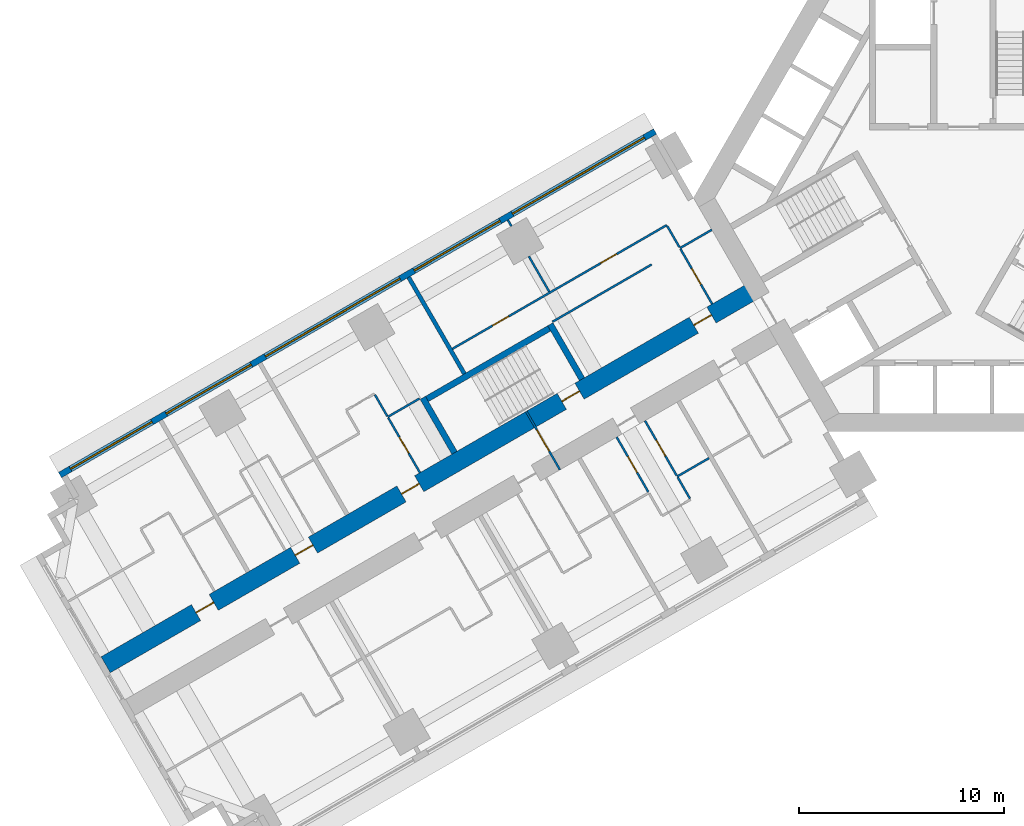
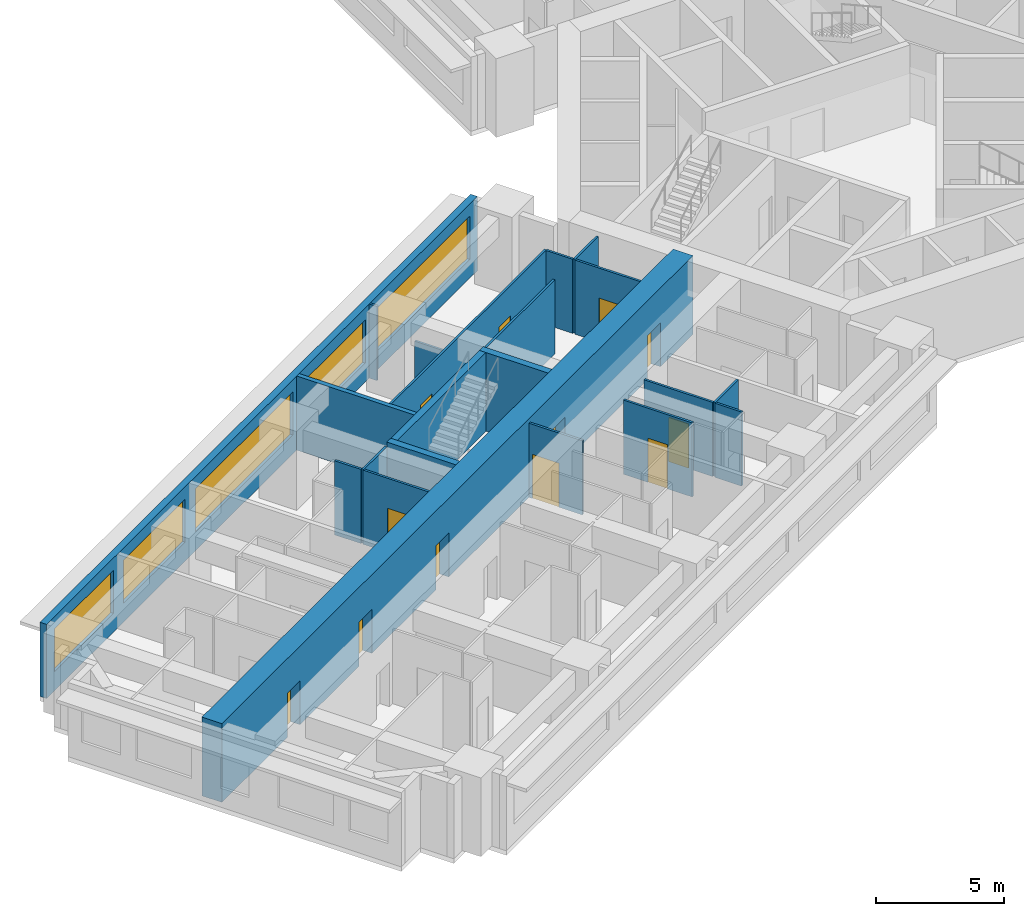
# One storey, part 5 of 17: 21 walls, 12 doors, 5 windows, 17 openings.
"""IFC4 building model written with IfcOpenShell, lengths in metres."""

from ifc_helpers import new_model, si_unit, direction, frame, frame_2d, origin, place, context, subcontext, project, spatial, rectangle, extrude, material, layer, layer_set, type_object, element, fill, save


model = new_model("IFC4")

# Units and contexts
model_context = context("Model", 3, precision=1e-05, world=origin(), true_north=direction((0.0, 1.0)))
body_context = subcontext(model_context, "Body", "Model", "MODEL_VIEW")
ifc_project = project(units=[si_unit("LENGTHUNIT", "METRE"), si_unit("AREAUNIT", "SQUARE_METRE"), si_unit("VOLUMEUNIT", "CUBIC_METRE"), si_unit("PLANEANGLEUNIT", "RADIAN"), si_unit("MASSUNIT", "GRAM", prefix="KILO")], contexts=[model_context])

# Site, building, storey
site_placement = place(None, origin())
site = spatial("IfcSite", under=ifc_project, at=site_placement, CompositionType="ELEMENT")
building_placement = place(site_placement, origin())
building = spatial("IfcBuilding", under=site, at=building_placement, Name="Impinga Residences", CompositionType="ELEMENT")
storey_placement = place(building_placement, frame((0.0, 0.0, 33.5)))
storey = spatial("IfcBuildingStorey", under=building, at=storey_placement, Name="L07", CompositionType="ELEMENT", Elevation=33.5)

# Wall, openings, doors
ifc_material_1 = material(Name="Concrete C70/85", Category="concrete")
ifc_layer_1 = layer(ifc_material_1, 0.89990234375)
ifc_layer_set_1 = layer_set([ifc_layer_1], Name="Concrete C70/85")
wall_type_1 = type_object("IfcWallType", Name="BW1 corridor buttress wall, L05 to L22 900", PredefinedType="SHEAR", material=ifc_layer_set_1)
wall_1_placement = place(storey_placement, frame((-10.1103515625, -4.451416015625, 0.0), z_axis=(0.0, 0.0, 1.0), x_axis=(-0.866025284237, -0.500000207062, 0.0)))
wall_1 = element("IfcWall", 1, at=wall_1_placement, inside=storey, type_object=wall_type_1, Name="Corridor wall BW1 WD L07", PredefinedType="SHEAR", context=body_context, shape_type="SweptSolid", body=[
    extrude(rectangle(XDim=36.75, YDim=0.89990234375, at=frame_2d((18.375, 0.0))), origin(), (0.0, 0.0, 1.0), 3.75),
])
opening_1_placement = place(wall_1_placement, frame((10.0, 0.0, 0.0)))
opening_1 = element("IfcOpeningElement", 2, at=opening_1_placement, cuts=wall_1, Name="Opening D5", PredefinedType="OPENING", context=body_context, shape_type="SweptSolid", body=[
    extrude(rectangle(XDim=1.0, YDim=2.10009765625, at=frame_2d((0.5, 1.050048828125))), frame((0.0, 0.4599609375, 0.0), z_axis=(0.0, -1.0, 0.0), x_axis=(1.0, 0.0, 0.0)), (0.0, 0.0, 1.0), 0.919921875),
])
opening_2_placement = place(wall_1_placement, frame((2.550048828125, 0.0, 0.0)))
opening_2 = element("IfcOpeningElement", 3, at=opening_2_placement, cuts=wall_1, Name="Opening D1", PredefinedType="OPENING", context=body_context, shape_type="SweptSolid", body=[
    extrude(rectangle(XDim=1.0, YDim=2.10009765625, at=frame_2d((0.5, 1.050048828125))), frame((0.0, 0.4599609375, 0.0), z_axis=(0.0, -1.0, 0.0), x_axis=(1.0, 0.0, 0.0)), (0.0, 0.0, 1.0), 0.919921875),
])
opening_3_placement = place(wall_1_placement, frame((19.050048828125, 0.0, 0.0)))
opening_3 = element("IfcOpeningElement", 4, at=opening_3_placement, cuts=wall_1, Name="Opening D1", PredefinedType="OPENING", context=body_context, shape_type="SweptSolid", body=[
    extrude(rectangle(XDim=1.0, YDim=2.10009765625, at=frame_2d((0.5, 1.050048828125))), frame((0.0, 0.4599609375, 0.0), z_axis=(0.0, -1.0, 0.0), x_axis=(1.0, 0.0, 0.0)), (0.0, 0.0, 1.0), 0.919921875),
])
opening_4_placement = place(wall_1_placement, frame((25.050048828125, 0.0, 0.0)))
opening_4 = element("IfcOpeningElement", 5, at=opening_4_placement, cuts=wall_1, Name="Opening D1", PredefinedType="OPENING", context=body_context, shape_type="SweptSolid", body=[
    extrude(rectangle(XDim=1.0, YDim=2.10009765625, at=frame_2d((0.5, 1.050048828125))), frame((0.0, 0.4599609375, 0.0), z_axis=(0.0, -1.0, 0.0), x_axis=(1.0, 0.0, 0.0)), (0.0, 0.0, 1.0), 0.919921875),
])
opening_5_placement = place(wall_1_placement, frame((30.64990234375, 0.0, 0.0)))
opening_5 = element("IfcOpeningElement", 6, at=opening_5_placement, cuts=wall_1, Name="Opening D1", PredefinedType="OPENING", context=body_context, shape_type="SweptSolid", body=[
    extrude(rectangle(XDim=1.0, YDim=2.10009765625, at=frame_2d((0.5, 1.050048828125))), frame((0.0, 0.4599609375, 0.0), z_axis=(0.0, -1.0, 0.0), x_axis=(1.0, 0.0, 0.0)), (0.0, 0.0, 1.0), 0.919921875),
])
ifc_material_2 = material(Name="Timber door set", Category="wood")
door_type_1 = type_object("IfcDoorType", Name="D1 apartment entrance door 1000x2100", OperationType="SINGLE_SWING_LEFT", PredefinedType="DOOR", material=ifc_material_2)
door_1_placement = place(opening_2_placement, origin())
door_1 = element("IfcDoor", 7, at=door_1_placement, inside=storey, type_object=door_type_1, Name="Apartment L07-WF1 entrance", OperationType="SINGLE_SWING_LEFT", OverallHeight=2.10009765625, OverallWidth=1.0, PredefinedType="DOOR", context=body_context, shape_type="SweptSolid", body=[
    extrude(rectangle(XDim=1.0, YDim=2.10009765625, at=frame_2d((0.5, 1.050048828125))), frame((0.0, 0.02490234375, 0.0), z_axis=(0.0, -1.0, 0.0), x_axis=(1.0, 0.0, 0.0)), (0.0, 0.0, 1.0), 0.050048828125),
])
fill(opening_2, door_1)
door_2_placement = place(opening_3_placement, origin())
door_2 = element("IfcDoor", 8, at=door_2_placement, inside=storey, type_object=door_type_1, Name="Apartment L07-WF2 entrance", OperationType="SINGLE_SWING_RIGHT", OverallHeight=2.10009765625, OverallWidth=1.0, PredefinedType="DOOR", context=body_context, shape_type="SweptSolid", body=[
    extrude(rectangle(XDim=1.0, YDim=2.10009765625, at=frame_2d((0.5, 1.050048828125))), frame((0.0, 0.02490234375, 0.0), z_axis=(0.0, -1.0, 0.0), x_axis=(1.0, 0.0, 0.0)), (0.0, 0.0, 1.0), 0.050048828125),
])
fill(opening_3, door_2)
door_3_placement = place(opening_4_placement, origin())
door_3 = element("IfcDoor", 9, at=door_3_placement, inside=storey, type_object=door_type_1, Name="Apartment L07-WF3 entrance", OperationType="SINGLE_SWING_RIGHT", OverallHeight=2.10009765625, OverallWidth=1.0, PredefinedType="DOOR", context=body_context, shape_type="SweptSolid", body=[
    extrude(rectangle(XDim=1.0, YDim=2.10009765625, at=frame_2d((0.5, 1.050048828125))), frame((0.0, 0.02490234375, 0.0), z_axis=(0.0, -1.0, 0.0), x_axis=(1.0, 0.0, 0.0)), (0.0, 0.0, 1.0), 0.050048828125),
])
fill(opening_4, door_3)
door_4_placement = place(opening_5_placement, origin())
door_4 = element("IfcDoor", 10, at=door_4_placement, inside=storey, type_object=door_type_1, Name="Apartment L07-WF4 entrance", OperationType="SINGLE_SWING_RIGHT", OverallHeight=2.10009765625, OverallWidth=1.0, PredefinedType="DOOR", context=body_context, shape_type="SweptSolid", body=[
    extrude(rectangle(XDim=1.0, YDim=2.10009765625, at=frame_2d((0.5, 1.050048828125))), frame((0.0, 0.02490234375, 0.0), z_axis=(0.0, -1.0, 0.0), x_axis=(1.0, 0.0, 0.0)), (0.0, 0.0, 1.0), 0.050048828125),
])
fill(opening_5, door_4)
door_type_2 = type_object("IfcDoorType", Name="D5 stair door 1000x2100", OperationType="SINGLE_SWING_LEFT", PredefinedType="DOOR", material=ifc_material_2)
door_5_placement = place(opening_1_placement, origin())
door_5 = element("IfcDoor", 11, at=door_5_placement, inside=storey, type_object=door_type_2, Name="Wing stair door W", OperationType="SINGLE_SWING_LEFT", OverallHeight=2.10009765625, OverallWidth=1.0, PredefinedType="DOOR", context=body_context, shape_type="SweptSolid", body=[
    extrude(rectangle(XDim=1.0, YDim=2.10009765625, at=frame_2d((0.5, 1.050048828125))), frame((0.0, 0.02490234375, 0.0), z_axis=(0.0, -1.0, 0.0), x_axis=(1.0, 0.0, 0.0)), (0.0, 0.0, 1.0), 0.050048828125),
])
fill(opening_1, door_5)

# Wall, opening, door
ifc_material_3 = material(Name="Concrete blockwork", Category="masonry")
ifc_layer_2 = layer(ifc_material_3, 0.10009765625)
ifc_layer_set_2 = layer_set([ifc_layer_2], Name="CP1 core room partition, blockwork 100")
wall_type_2 = type_object("IfcWallType", Name="CP1 core room partition, blockwork 100", PredefinedType="PARTITIONING", material=ifc_layer_set_2)
wall_2_placement = place(storey_placement, frame((-19.7275390625, -13.294921875, 0.0), z_axis=(0.0, 0.0, 1.0), x_axis=(-0.499974350878, 0.866040211805, 0.0)))
wall_2 = element("IfcWall", 12, at=wall_2_placement, inside=storey, type_object=wall_type_2, Name="Core room partition, blockwork L07:W:SCR", PredefinedType="PARTITIONING", context=body_context, shape_type="SweptSolid", body=[
    extrude(rectangle(XDim=3.300048828125, YDim=0.10009765625, at=frame_2d((1.64990234375, 0.0))), origin(), (0.0, 0.0, 1.0), 3.530029296875),
])
opening_6_placement = place(wall_2_placement, frame((1.050048828125, 0.0, 0.0)))
opening_6 = element("IfcOpeningElement", 13, at=opening_6_placement, cuts=wall_2, Name="Opening D3", PredefinedType="OPENING", context=body_context, shape_type="SweptSolid", body=[
    extrude(rectangle(XDim=1.199951171875, YDim=2.10009765625, at=frame_2d((0.60009765625, 1.050048828125))), frame((0.0, 0.06005859375, 0.0), z_axis=(0.0, -1.0, 0.0), x_axis=(1.0, 0.0, 0.0)), (0.0, 0.0, 1.0), 0.1201171875),
])
door_type_3 = type_object("IfcDoorType", Name="D3 room door, leaf and a half 1200x2100", OperationType="DOUBLE_SWING_LEFT", PredefinedType="DOOR", material=ifc_material_2)
door_6_placement = place(opening_6_placement, origin())
door_6 = element("IfcDoor", 14, at=door_6_placement, inside=storey, type_object=door_type_3, Name="Corridor smoke door W", OperationType="DOUBLE_SWING_LEFT", OverallHeight=2.10009765625, OverallWidth=1.199951171875, PredefinedType="DOOR", context=body_context, shape_type="SweptSolid", body=[
    extrude(rectangle(XDim=1.199951171875, YDim=2.10009765625, at=frame_2d((0.60009765625, 1.050048828125))), frame((0.0, 0.02490234375, 0.0), z_axis=(0.0, -1.0, 0.0), x_axis=(1.0, 0.0, 0.0)), (0.0, 0.0, 1.0), 0.050048828125),
])
fill(opening_6, door_6)

# Wall, openings, windows
ifc_material_4 = material(Name="Terracotta rainscreen on blockwork", Category="masonry")
ifc_layer_3 = layer(ifc_material_4, 0.300048828125)
ifc_layer_set_3 = layer_set([ifc_layer_3], Name="EW1 external wall, terracotta rainscreen on blockwork 300")
wall_type_3 = type_object("IfcWallType", Name="EW1 external wall, terracotta rainscreen on blockwork 300", PredefinedType="SOLIDWALL", material=ifc_layer_set_3)
wall_3_placement = place(storey_placement, frame((-44.17333984375, -13.552490234375, 0.0), z_axis=(0.0, 0.0, 1.0), x_axis=(0.866024291668, 0.500001926238, 0.0)))
wall_3 = element("IfcWall", 15, at=wall_3_placement, inside=storey, type_object=wall_type_3, Name="External wall EW1 L07", PredefinedType="SOLIDWALL", context=body_context, shape_type="SweptSolid", body=[
    extrude(rectangle(XDim=33.599853515625, YDim=0.300048828125, at=frame_2d((16.7998046875, 0.0))), origin(), (0.0, 0.0, 1.0), 3.530029296875),
])
opening_7_placement = place(wall_3_placement, frame((0.60009765625, 0.0, 0.89990234375)))
opening_7 = element("IfcOpeningElement", 16, at=opening_7_placement, cuts=wall_3, Name="Opening W3", PredefinedType="OPENING", context=body_context, shape_type="SweptSolid", body=[
    extrude(rectangle(XDim=4.60009765625, YDim=2.050048828125, at=frame_2d((2.300048828125, 1.02490234375))), frame((0.0, 0.159912109375, 0.0), z_axis=(0.0, -1.0, 0.0), x_axis=(1.0, 0.0, 0.0)), (0.0, 0.0, 1.0), 0.320068359375),
])
opening_8_placement = place(wall_3_placement, frame((6.0, 0.0, 0.89990234375)))
opening_8 = element("IfcOpeningElement", 17, at=opening_8_placement, cuts=wall_3, Name="Opening W8", PredefinedType="OPENING", context=body_context, shape_type="SweptSolid", body=[
    extrude(rectangle(XDim=4.800048828125, YDim=2.050048828125, at=frame_2d((2.39990234375, 1.02490234375))), frame((0.0, 0.159912109375, 0.0), z_axis=(0.0, -1.0, 0.0), x_axis=(1.0, 0.0, 0.0)), (0.0, 0.0, 1.0), 0.320068359375),
])
opening_9_placement = place(wall_3_placement, frame((11.60009765625, 0.0, 0.89990234375)))
opening_9 = element("IfcOpeningElement", 18, at=opening_9_placement, cuts=wall_3, Name="Opening W5", PredefinedType="OPENING", context=body_context, shape_type="SweptSolid", body=[
    extrude(rectangle(XDim=7.60009765625, YDim=2.050048828125, at=frame_2d((3.800048828125, 1.02490234375))), frame((0.0, 0.159912109375, 0.0), z_axis=(0.0, -1.0, 0.0), x_axis=(1.0, 0.0, 0.0)), (0.0, 0.0, 1.0), 0.320068359375),
])
opening_10_placement = place(wall_3_placement, frame((20.0, 0.0, 0.89990234375)))
opening_10 = element("IfcOpeningElement", 19, at=opening_10_placement, cuts=wall_3, Name="Opening W6", PredefinedType="OPENING", context=body_context, shape_type="SweptSolid", body=[
    extrude(rectangle(XDim=4.85009765625, YDim=2.050048828125, at=frame_2d((2.425048828125, 1.02490234375))), frame((0.0, 0.159912109375, 0.0), z_axis=(0.0, -1.0, 0.0), x_axis=(1.0, 0.0, 0.0)), (0.0, 0.0, 1.0), 0.320068359375),
])
opening_11_placement = place(wall_3_placement, frame((25.550048828125, 0.0, 0.89990234375)))
opening_11 = element("IfcOpeningElement", 20, at=opening_11_placement, cuts=wall_3, Name="Opening W7", PredefinedType="OPENING", context=body_context, shape_type="SweptSolid", body=[
    extrude(rectangle(XDim=7.449951171875, YDim=2.050048828125, at=frame_2d((3.72509765625, 1.02490234375))), frame((0.0, 0.159912109375, 0.0), z_axis=(0.0, -1.0, 0.0), x_axis=(1.0, 0.0, 0.0)), (0.0, 0.0, 1.0), 0.320068359375),
])
ifc_material_5 = material(Name="Aluminium window, clear double glazing", Category="aluminium")
window_type_1 = type_object("IfcWindowType", Name="W3 ribbon window 4600x2050", PartitioningType="SINGLE_PANEL", PredefinedType="WINDOW", material=ifc_material_5)
window_1_placement = place(opening_7_placement, origin())
window_1 = element("IfcWindow", 21, at=window_1_placement, inside=storey, type_object=window_type_1, Name="Window L07", OverallHeight=2.050048828125, OverallWidth=4.60009765625, PartitioningType="SINGLE_PANEL", PredefinedType="WINDOW", context=body_context, shape_type="SweptSolid", body=[
    extrude(rectangle(XDim=4.60009765625, YDim=2.050048828125, at=frame_2d((2.300048828125, 1.02490234375))), frame((0.0, 0.030029296875, 0.0), z_axis=(0.0, -1.0, 0.0), x_axis=(1.0, 0.0, 0.0)), (0.0, 0.0, 1.0), 0.06005859375),
])
fill(opening_7, window_1)
window_type_2 = type_object("IfcWindowType", Name="W5 ribbon window 7600x2050", PartitioningType="SINGLE_PANEL", PredefinedType="WINDOW", material=ifc_material_5)
window_2_placement = place(opening_9_placement, origin())
window_2 = element("IfcWindow", 22, at=window_2_placement, inside=storey, type_object=window_type_2, Name="Window L07", OverallHeight=2.050048828125, OverallWidth=7.60009765625, PartitioningType="SINGLE_PANEL", PredefinedType="WINDOW", context=body_context, shape_type="SweptSolid", body=[
    extrude(rectangle(XDim=7.60009765625, YDim=2.050048828125, at=frame_2d((3.800048828125, 1.02490234375))), frame((0.0, 0.030029296875, 0.0), z_axis=(0.0, -1.0, 0.0), x_axis=(1.0, 0.0, 0.0)), (0.0, 0.0, 1.0), 0.06005859375),
])
fill(opening_9, window_2)
window_type_3 = type_object("IfcWindowType", Name="W6 ribbon window 4850x2050", PartitioningType="SINGLE_PANEL", PredefinedType="WINDOW", material=ifc_material_5)
window_3_placement = place(opening_10_placement, origin())
window_3 = element("IfcWindow", 23, at=window_3_placement, inside=storey, type_object=window_type_3, Name="Window L07", OverallHeight=2.050048828125, OverallWidth=4.85009765625, PartitioningType="SINGLE_PANEL", PredefinedType="WINDOW", context=body_context, shape_type="SweptSolid", body=[
    extrude(rectangle(XDim=4.85009765625, YDim=2.050048828125, at=frame_2d((2.425048828125, 1.02490234375))), frame((0.0, 0.030029296875, 0.0), z_axis=(0.0, -1.0, 0.0), x_axis=(1.0, 0.0, 0.0)), (0.0, 0.0, 1.0), 0.06005859375),
])
fill(opening_10, window_3)
window_type_4 = type_object("IfcWindowType", Name="W7 ribbon window 7450x2050", PartitioningType="SINGLE_PANEL", PredefinedType="WINDOW", material=ifc_material_5)
window_4_placement = place(opening_11_placement, origin())
window_4 = element("IfcWindow", 24, at=window_4_placement, inside=storey, type_object=window_type_4, Name="Window L07", OverallHeight=2.050048828125, OverallWidth=7.449951171875, PartitioningType="SINGLE_PANEL", PredefinedType="WINDOW", context=body_context, shape_type="SweptSolid", body=[
    extrude(rectangle(XDim=7.449951171875, YDim=2.050048828125, at=frame_2d((3.72509765625, 1.02490234375))), frame((0.0, 0.030029296875, 0.0), z_axis=(0.0, -1.0, 0.0), x_axis=(1.0, 0.0, 0.0)), (0.0, 0.0, 1.0), 0.06005859375),
])
fill(opening_11, window_4)
window_type_5 = type_object("IfcWindowType", Name="W8 ribbon window 4800x2050", PartitioningType="SINGLE_PANEL", PredefinedType="WINDOW", material=ifc_material_5)
window_5_placement = place(opening_8_placement, origin())
window_5 = element("IfcWindow", 25, at=window_5_placement, inside=storey, type_object=window_type_5, Name="Window L07", OverallHeight=2.050048828125, OverallWidth=4.800048828125, PartitioningType="SINGLE_PANEL", PredefinedType="WINDOW", context=body_context, shape_type="SweptSolid", body=[
    extrude(rectangle(XDim=4.800048828125, YDim=2.050048828125, at=frame_2d((2.39990234375, 1.02490234375))), frame((0.0, 0.030029296875, 0.0), z_axis=(0.0, -1.0, 0.0), x_axis=(1.0, 0.0, 0.0)), (0.0, 0.0, 1.0), 0.06005859375),
])
fill(opening_8, window_5)

# Walls
ifc_material_6 = material(Name="Gypsum board on steel studs", Category="steel")
ifc_layer_4 = layer(ifc_material_6, 0.10009765625)
ifc_layer_set_4 = layer_set([ifc_layer_4], Name="Gypsum board on steel studs")
wall_type_4 = type_object("IfcWallType", Name="IP1 partition 100", PredefinedType="PARTITIONING", material=ifc_layer_set_4)
wall_4_placement = place(storey_placement, frame((-12.436279296875, -12.72265625, 0.0), z_axis=(0.0, 0.0, 1.0), x_axis=(-0.865989075817, -0.500062916607, 0.0)))
element("IfcWall", 26, at=wall_4_placement, inside=storey, type_object=wall_type_4, Name="Partition L07-WA2:DIV0", PredefinedType="PARTITIONING", context=body_context, shape_type="SweptSolid", body=[
    extrude(rectangle(XDim=1.800048828125, YDim=0.10009765625, at=frame_2d((0.89990234375, 0.0))), origin(), (0.0, 0.0, 1.0), 3.530029296875),
])
wall_5_placement = place(storey_placement, frame((-13.97021484375, -13.666015625, 0.0), z_axis=(0.0, 0.0, 1.0), x_axis=(0.500033551112, -0.866006032174, 0.0)))
element("IfcWall", 27, at=wall_5_placement, inside=storey, type_object=wall_type_4, Name="Partition L07-WA2:SE0", PredefinedType="PARTITIONING", context=body_context, shape_type="SweptSolid", body=[
    extrude(rectangle(XDim=1.2001953125, YDim=0.10009765625, at=frame_2d((0.60009765625, 0.0))), origin(), (0.0, 0.0, 1.0), 3.530029296875),
])

# Wall, opening, door
wall_6_placement = place(storey_placement, frame((-15.5703125, -10.894775390625, 0.0), z_axis=(0.0, 0.0, 1.0), x_axis=(0.500026960575, -0.86600983753, 0.0)))
wall_6 = element("IfcWall", 28, at=wall_6_placement, inside=storey, type_object=wall_type_4, Name="Partition L07-WA2:IB1", PredefinedType="PARTITIONING", context=body_context, shape_type="SweptSolid", body=[
    extrude(rectangle(XDim=3.099853515625, YDim=0.10009765625, at=frame_2d((1.5498046875, 0.0))), origin(), (0.0, 0.0, 1.0), 3.530029296875),
])
opening_12_placement = place(wall_6_placement, frame((1.10009765625, 0.0, 0.0)))
opening_12 = element("IfcOpeningElement", 29, at=opening_12_placement, cuts=wall_6, Name="Opening D2", PredefinedType="OPENING", context=body_context, shape_type="SweptSolid", body=[
    extrude(rectangle(XDim=0.89990234375, YDim=2.10009765625, at=frame_2d((0.449951171875, 1.050048828125))), frame((0.0, 0.06005859375, 0.0), z_axis=(0.0, -1.0, 0.0), x_axis=(1.0, 0.0, 0.0)), (0.0, 0.0, 1.0), 0.1201171875),
])
door_type_4 = type_object("IfcDoorType", Name="D2 internal door 900x2100", OperationType="SINGLE_SWING_LEFT", PredefinedType="DOOR", material=ifc_material_2)
door_7_placement = place(opening_12_placement, origin())
door_7 = element("IfcDoor", 30, at=door_7_placement, inside=storey, type_object=door_type_4, Name="Apartment L07-WA2 bathroom door", OperationType="SINGLE_SWING_LEFT", OverallHeight=2.10009765625, OverallWidth=0.89990234375, PredefinedType="DOOR", context=body_context, shape_type="SweptSolid", body=[
    extrude(rectangle(XDim=0.89990234375, YDim=2.10009765625, at=frame_2d((0.449951171875, 1.050048828125))), frame((0.0, 0.02490234375, 0.0), z_axis=(0.0, -1.0, 0.0), x_axis=(1.0, 0.0, 0.0)), (0.0, 0.0, 1.0), 0.050048828125),
])
fill(opening_12, door_7)

wall_7_placement = place(storey_placement, frame((-16.955810546875, -11.69482421875, 0.0), z_axis=(0.0, 0.0, 1.0), x_axis=(0.500026960575, -0.86600983753, 0.0)))
wall_7 = element("IfcWall", 31, at=wall_7_placement, inside=storey, type_object=wall_type_4, Name="Partition L07-WA2:IB2", PredefinedType="PARTITIONING", context=body_context, shape_type="SweptSolid", body=[
    extrude(rectangle(XDim=3.099853515625, YDim=0.10009765625, at=frame_2d((1.5498046875, 0.0))), origin(), (0.0, 0.0, 1.0), 3.530029296875),
])
opening_13_placement = place(wall_7_placement, frame((1.10009765625, 0.0, 0.0)))
opening_13 = element("IfcOpeningElement", 32, at=opening_13_placement, cuts=wall_7, Name="Opening D2", PredefinedType="OPENING", context=body_context, shape_type="SweptSolid", body=[
    extrude(rectangle(XDim=0.89990234375, YDim=2.10009765625, at=frame_2d((0.449951171875, 1.050048828125))), frame((0.0, 0.06005859375, 0.0), z_axis=(0.0, -1.0, 0.0), x_axis=(1.0, 0.0, 0.0)), (0.0, 0.0, 1.0), 0.1201171875),
])
door_8_placement = place(opening_13_placement, origin())
door_8 = element("IfcDoor", 33, at=door_8_placement, inside=storey, type_object=door_type_4, Name="Apartment L07-WA2 WC door", OperationType="SINGLE_SWING_LEFT", OverallHeight=2.10009765625, OverallWidth=0.89990234375, PredefinedType="DOOR", context=body_context, shape_type="SweptSolid", body=[
    extrude(rectangle(XDim=0.89990234375, YDim=2.10009765625, at=frame_2d((0.449951171875, 1.050048828125))), frame((0.0, 0.02490234375, 0.0), z_axis=(0.0, -1.0, 0.0), x_axis=(1.0, 0.0, 0.0)), (0.0, 0.0, 1.0), 0.050048828125),
])
fill(opening_13, door_8)

# Walls
wall_8_placement = place(storey_placement, frame((-12.300048828125, -1.558837890625, 0.0), z_axis=(0.0, 0.0, 1.0), x_axis=(-0.866047807691, -0.499961193289, 0.0)))
element("IfcWall", 34, at=wall_8_placement, inside=storey, type_object=wall_type_4, Name="Partition L07-WF1:DIV0", PredefinedType="PARTITIONING", context=body_context, shape_type="SweptSolid", body=[
    extrude(rectangle(XDim=1.800048828125, YDim=0.10009765625, at=frame_2d((0.89990234375, 0.0))), origin(), (0.0, 0.0, 1.0), 3.530029296875),
])
wall_9_placement = place(storey_placement, frame((-15.244384765625, -3.2587890625, 0.0), z_axis=(0.0, 0.0, 1.0), x_axis=(-0.866026594901, -0.49999793692, 0.0)))
element("IfcWall", 35, at=wall_9_placement, inside=storey, type_object=wall_type_4, Name="Partition L07-WF1:DIV1", PredefinedType="PARTITIONING", context=body_context, shape_type="SweptSolid", body=[
    extrude(rectangle(XDim=5.60009765625, YDim=0.10009765625, at=frame_2d((2.800048828125, 0.0))), origin(), (0.0, 0.0, 1.0), 3.530029296875),
])

# Wall, openings, doors
wall_10_placement = place(storey_placement, frame((-14.5087890625, -1.3330078125, 0.0), z_axis=(0.0, 0.0, 1.0), x_axis=(-0.866025650635, -0.499999572443, 0.0)))
wall_10 = element("IfcWall", 36, at=wall_10_placement, inside=storey, type_object=wall_type_4, Name="Partition L07-WF1:STRIP", PredefinedType="PARTITIONING", context=body_context, shape_type="SweptSolid", body=[
    extrude(rectangle(XDim=12.10009765625, YDim=0.10009765625, at=frame_2d((6.050048828125, 0.0))), origin(), (0.0, 0.0, 1.0), 3.530029296875),
])
opening_14_placement = place(wall_10_placement, frame((2.824951171875, 0.0, 0.0)))
opening_14 = element("IfcOpeningElement", 37, at=opening_14_placement, cuts=wall_10, Name="Opening D2", PredefinedType="OPENING", context=body_context, shape_type="SweptSolid", body=[
    extrude(rectangle(XDim=0.89990234375, YDim=2.10009765625, at=frame_2d((0.449951171875, 1.050048828125))), frame((0.0, 0.06005859375, 0.0), z_axis=(0.0, -1.0, 0.0), x_axis=(1.0, 0.0, 0.0)), (0.0, 0.0, 1.0), 0.1201171875),
])
opening_15_placement = place(wall_10_placement, frame((8.925048828125, 0.0, 0.0)))
opening_15 = element("IfcOpeningElement", 38, at=opening_15_placement, cuts=wall_10, Name="Opening D2", PredefinedType="OPENING", context=body_context, shape_type="SweptSolid", body=[
    extrude(rectangle(XDim=0.89990234375, YDim=2.10009765625, at=frame_2d((0.449951171875, 1.050048828125))), frame((0.0, 0.06005859375, 0.0), z_axis=(0.0, -1.0, 0.0), x_axis=(1.0, 0.0, 0.0)), (0.0, 0.0, 1.0), 0.1201171875),
])
door_9_placement = place(opening_14_placement, origin())
door_9 = element("IfcDoor", 39, at=door_9_placement, inside=storey, type_object=door_type_4, Name="Apartment L07-WF1 room door", OperationType="SINGLE_SWING_LEFT", OverallHeight=2.10009765625, OverallWidth=0.89990234375, PredefinedType="DOOR", context=body_context, shape_type="SweptSolid", body=[
    extrude(rectangle(XDim=0.89990234375, YDim=2.10009765625, at=frame_2d((0.449951171875, 1.050048828125))), frame((0.0, 0.02490234375, 0.0), z_axis=(0.0, -1.0, 0.0), x_axis=(1.0, 0.0, 0.0)), (0.0, 0.0, 1.0), 0.050048828125),
])
fill(opening_14, door_9)
door_10_placement = place(opening_15_placement, origin())
door_10 = element("IfcDoor", 40, at=door_10_placement, inside=storey, type_object=door_type_4, Name="Apartment L07-WF1 room door", OperationType="SINGLE_SWING_RIGHT", OverallHeight=2.10009765625, OverallWidth=0.89990234375, PredefinedType="DOOR", context=body_context, shape_type="SweptSolid", body=[
    extrude(rectangle(XDim=0.89990234375, YDim=2.10009765625, at=frame_2d((0.449951171875, 1.050048828125))), frame((0.0, 0.02490234375, 0.0), z_axis=(0.0, -1.0, 0.0), x_axis=(1.0, 0.0, 0.0)), (0.0, 0.0, 1.0), 0.050048828125),
])
fill(opening_15, door_10)

# Wall
wall_11_placement = place(storey_placement, frame((-13.8837890625, -2.41552734375, 0.0), z_axis=(0.0, 0.0, 1.0), x_axis=(-0.500033551112, 0.866006032174, 0.0)))
element("IfcWall", 41, at=wall_11_placement, inside=storey, type_object=wall_type_4, Name="Partition L07-WF1:SE0", PredefinedType="PARTITIONING", context=body_context, shape_type="SweptSolid", body=[
    extrude(rectangle(XDim=1.2001953125, YDim=0.10009765625, at=frame_2d((0.60009765625, 0.0))), origin(), (0.0, 0.0, 1.0), 3.530029296875),
])

# Wall, opening, door
wall_12_placement = place(storey_placement, frame((-12.283935546875, -5.186767578125, 0.0), z_axis=(0.0, 0.0, 1.0), x_axis=(-0.499967891604, 0.866043940782, 0.0)))
wall_12 = element("IfcWall", 42, at=wall_12_placement, inside=storey, type_object=wall_type_4, Name="Partition L07-WF1:IB1", PredefinedType="PARTITIONING", context=body_context, shape_type="SweptSolid", body=[
    extrude(rectangle(XDim=3.099853515625, YDim=0.10009765625, at=frame_2d((1.5498046875, 0.0))), origin(), (0.0, 0.0, 1.0), 3.530029296875),
])
opening_16_placement = place(wall_12_placement, frame((1.10009765625, 0.0, 0.0)))
opening_16 = element("IfcOpeningElement", 43, at=opening_16_placement, cuts=wall_12, Name="Opening D2", PredefinedType="OPENING", context=body_context, shape_type="SweptSolid", body=[
    extrude(rectangle(XDim=0.89990234375, YDim=2.10009765625, at=frame_2d((0.449951171875, 1.050048828125))), frame((0.0, 0.06005859375, 0.0), z_axis=(0.0, -1.0, 0.0), x_axis=(1.0, 0.0, 0.0)), (0.0, 0.0, 1.0), 0.1201171875),
])
door_11_placement = place(opening_16_placement, origin())
door_11 = element("IfcDoor", 44, at=door_11_placement, inside=storey, type_object=door_type_4, Name="Apartment L07-WF1 bathroom door", OperationType="SINGLE_SWING_LEFT", OverallHeight=2.10009765625, OverallWidth=0.89990234375, PredefinedType="DOOR", context=body_context, shape_type="SweptSolid", body=[
    extrude(rectangle(XDim=0.89990234375, YDim=2.10009765625, at=frame_2d((0.449951171875, 1.050048828125))), frame((0.0, 0.02490234375, 0.0), z_axis=(0.0, -1.0, 0.0), x_axis=(1.0, 0.0, 0.0)), (0.0, 0.0, 1.0), 0.050048828125),
])
fill(opening_16, door_11)

# Walls
wall_13_placement = place(storey_placement, frame((-20.24951171875, -4.589599609375, 0.0), z_axis=(0.0, 0.0, 1.0), x_axis=(-0.50002537861, 0.866010750942, 0.0)))
element("IfcWall", 45, at=wall_13_placement, inside=storey, type_object=wall_type_4, Name="Partition L07-WF1:OB1", PredefinedType="PARTITIONING", context=body_context, shape_type="SweptSolid", body=[
    extrude(rectangle(XDim=2.0, YDim=0.10009765625, at=frame_2d((1.0, 0.0))), origin(), (0.0, 0.0, 1.0), 2.47998046875),
])
wall_14_placement = place(storey_placement, frame((-22.099609375, -1.385498046875, 0.0), z_axis=(0.0, 0.0, 1.0), x_axis=(-0.49996389635, 0.866046247233, 0.0)))
element("IfcWall", 46, at=wall_14_placement, inside=storey, type_object=wall_type_4, Name="Partition L07-WF1:OB1b", PredefinedType="PARTITIONING", context=body_context, shape_type="SweptSolid", body=[
    extrude(rectangle(XDim=0.35009765625, YDim=0.10009765625, at=frame_2d((0.175048828125, 0.0))), origin(), (0.0, 0.0, 1.0), 3.530029296875),
])
wall_15_placement = place(storey_placement, frame((-26.58935546875, -9.808837890625, 0.0), z_axis=(0.0, 0.0, 1.0), x_axis=(-0.866047807691, -0.499961193289, 0.0)))
element("IfcWall", 47, at=wall_15_placement, inside=storey, type_object=wall_type_4, Name="Partition L07-WF2:DIV0", PredefinedType="PARTITIONING", context=body_context, shape_type="SweptSolid", body=[
    extrude(rectangle(XDim=1.800048828125, YDim=0.10009765625, at=frame_2d((0.89990234375, 0.0))), origin(), (0.0, 0.0, 1.0), 3.530029296875),
])
wall_16_placement = place(storey_placement, frame((-28.17333984375, -10.66552734375, 0.0), z_axis=(0.0, 0.0, 1.0), x_axis=(-0.499880961361, 0.866094119867, 0.0)))
element("IfcWall", 48, at=wall_16_placement, inside=storey, type_object=wall_type_4, Name="Partition L07-WF2:SE0", PredefinedType="PARTITIONING", context=body_context, shape_type="SweptSolid", body=[
    extrude(rectangle(XDim=1.199951171875, YDim=0.10009765625, at=frame_2d((0.60009765625, 0.0))), origin(), (0.0, 0.0, 1.0), 3.530029296875),
])

# Wall, opening, door
wall_17_placement = place(storey_placement, frame((-26.5732421875, -13.436767578125, 0.0), z_axis=(0.0, 0.0, 1.0), x_axis=(-0.500026960575, 0.86600983753, 0.0)))
wall_17 = element("IfcWall", 49, at=wall_17_placement, inside=storey, type_object=wall_type_4, Name="Partition L07-WF2:IB1", PredefinedType="PARTITIONING", context=body_context, shape_type="SweptSolid", body=[
    extrude(rectangle(XDim=3.099853515625, YDim=0.10009765625, at=frame_2d((1.5498046875, 0.0))), origin(), (0.0, 0.0, 1.0), 3.530029296875),
])
opening_17_placement = place(wall_17_placement, frame((1.10009765625, 0.0, 0.0)))
opening_17 = element("IfcOpeningElement", 50, at=opening_17_placement, cuts=wall_17, Name="Opening D2", PredefinedType="OPENING", context=body_context, shape_type="SweptSolid", body=[
    extrude(rectangle(XDim=0.89990234375, YDim=2.10009765625, at=frame_2d((0.449951171875, 1.050048828125))), frame((0.0, 0.06005859375, 0.0), z_axis=(0.0, -1.0, 0.0), x_axis=(1.0, 0.0, 0.0)), (0.0, 0.0, 1.0), 0.1201171875),
])
door_12_placement = place(opening_17_placement, origin())
door_12 = element("IfcDoor", 51, at=door_12_placement, inside=storey, type_object=door_type_4, Name="Apartment L07-WF2 bathroom door", OperationType="SINGLE_SWING_LEFT", OverallHeight=2.10009765625, OverallWidth=0.89990234375, PredefinedType="DOOR", context=body_context, shape_type="SweptSolid", body=[
    extrude(rectangle(XDim=0.89990234375, YDim=2.10009765625, at=frame_2d((0.449951171875, 1.050048828125))), frame((0.0, 0.02490234375, 0.0), z_axis=(0.0, -1.0, 0.0), x_axis=(1.0, 0.0, 0.0)), (0.0, 0.0, 1.0), 0.050048828125),
])
fill(opening_17, door_12)

# Walls
ifc_layer_5 = layer(ifc_material_3, 0.199951171875)
ifc_layer_set_5 = layer_set([ifc_layer_5], Name="PW1 party wall between apartments 200")
wall_type_5 = type_object("IfcWallType", Name="PW1 party wall between apartments 200", PredefinedType="SOLIDWALL", material=ifc_layer_set_5)
wall_18_placement = place(storey_placement, frame((-24.3994140625, -8.60205078125, 0.0), z_axis=(0.0, 0.0, 1.0), x_axis=(-0.499988730927, 0.866031909889, 0.0)))
element("IfcWall", 52, at=wall_18_placement, inside=storey, type_object=wall_type_5, Name="Party wall between apartments L07-WF1:PARTY", PredefinedType="SOLIDWALL", context=body_context, shape_type="SweptSolid", body=[
    extrude(rectangle(XDim=5.449951171875, YDim=0.199951171875, at=frame_2d((2.72509765625, 0.0))), origin(), (0.0, 0.0, 1.0), 3.530029296875),
])
ifc_material_7 = material(Name="Concrete C60/75", Category="concrete")
ifc_layer_6 = layer(ifc_material_7, 0.300048828125)
ifc_layer_set_6 = layer_set([ifc_layer_6], Name="Concrete C60/75")
wall_type_6 = type_object("IfcWallType", Name="SE1 wing stair enclosure wall 300", PredefinedType="SOLIDWALL", material=ifc_layer_set_6)
wall_19_placement = place(storey_placement, frame((-18.649169921875, -8.86181640625, 0.0), z_axis=(0.0, 0.0, 1.0), x_axis=(-0.500026960575, 0.86600983753, 0.0)))
element("IfcWall", 53, at=wall_19_placement, inside=storey, type_object=wall_type_6, Name="Stair enclosure wall SE1 W END0 L07", PredefinedType="SOLIDWALL", context=body_context, shape_type="SweptSolid", body=[
    extrude(rectangle(XDim=3.099853515625, YDim=0.300048828125, at=frame_2d((1.5498046875, 0.0))), origin(), (0.0, 0.0, 1.0), 3.75),
])
wall_20_placement = place(storey_placement, frame((-24.884521484375, -12.4619140625, 0.0), z_axis=(0.0, 0.0, 1.0), x_axis=(-0.49999285859, 0.86602952684, 0.0)))
element("IfcWall", 54, at=wall_20_placement, inside=storey, type_object=wall_type_6, Name="Stair enclosure wall SE1 W END1 L07", PredefinedType="SOLIDWALL", context=body_context, shape_type="SweptSolid", body=[
    extrude(rectangle(XDim=3.10009765625, YDim=0.300048828125, at=frame_2d((1.550048828125, 0.0))), origin(), (0.0, 0.0, 1.0), 3.75),
])
wall_21_placement = place(storey_placement, frame((-20.254150390625, -6.382080078125, 0.0), z_axis=(0.0, 0.0, 1.0), x_axis=(-0.866020008033, -0.500009345598, 0.0)))
element("IfcWall", 55, at=wall_21_placement, inside=storey, type_object=wall_type_6, Name="Stair enclosure wall SE1 W OUT L07", PredefinedType="SOLIDWALL", context=body_context, shape_type="SweptSolid", body=[
    extrude(rectangle(XDim=6.899658203125, YDim=0.300048828125, at=frame_2d((3.44970703125, 0.0))), origin(), (0.0, 0.0, 1.0), 3.75),
])

save(model, "model.ifc")
